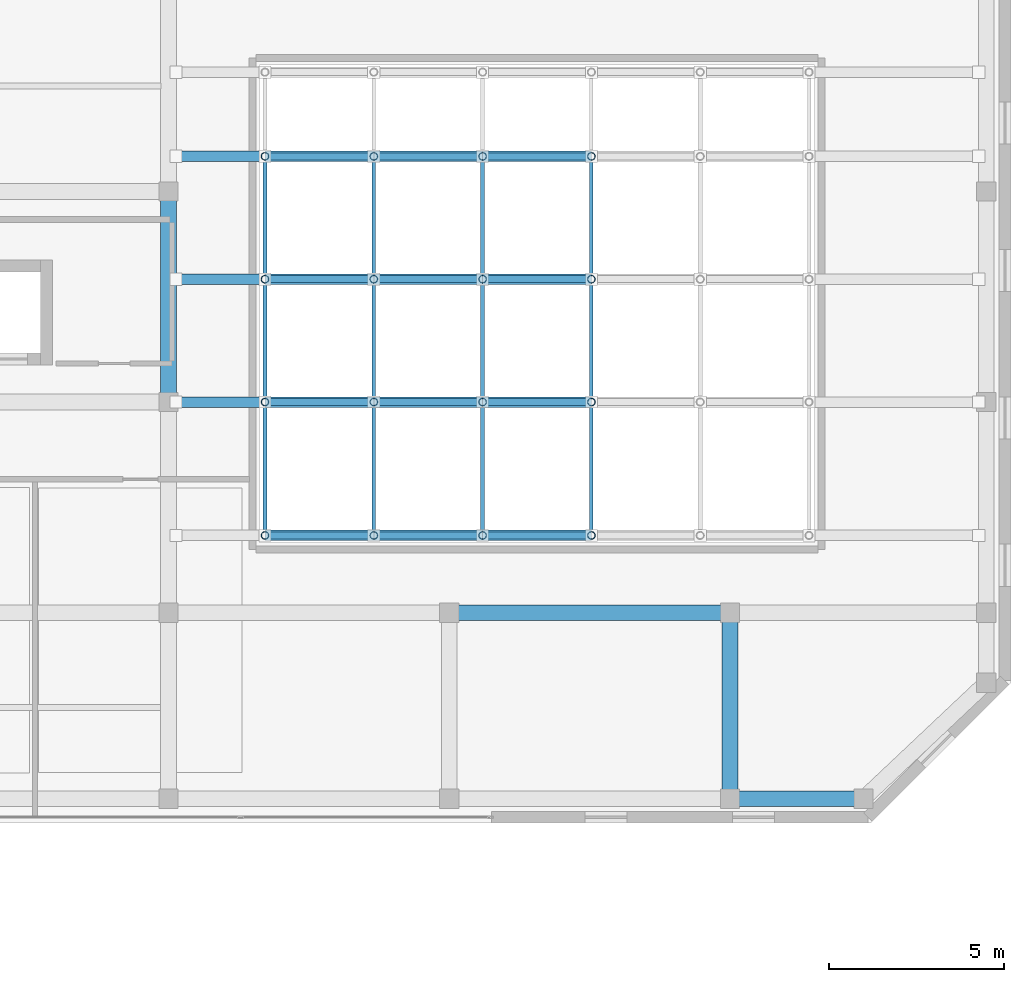
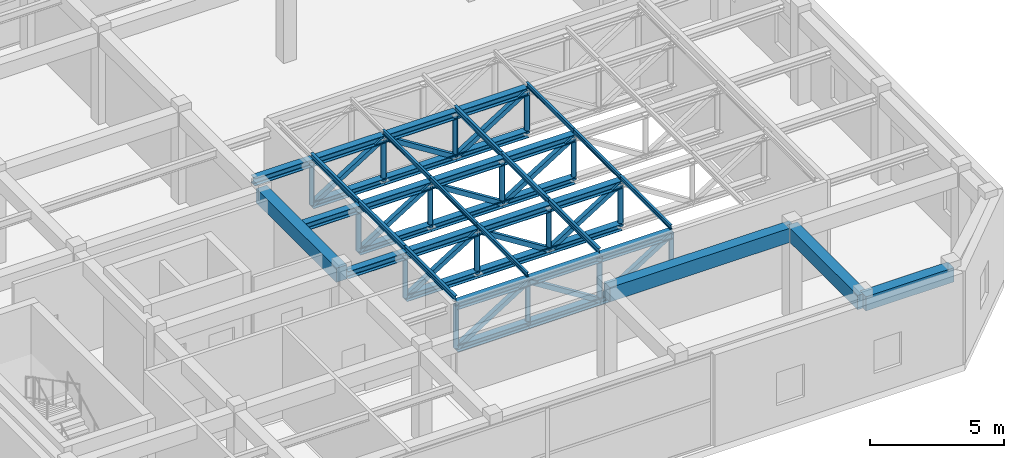
# One storey, part 14 of 33: 67 members, 4 beams.
"""IFC4 building model written with IfcOpenShell, lengths in metres."""

import ifcopenshell
import ifcopenshell.guid

model = None  # the IFC model being written
_history = None  # IfcOwnerHistory: only IFC2X3 demands one
_inside = {}  # id of a spatial element -> (the spatial element, [elements in it])
_under = {}  # id of a project, library or spatial element -> (it, [spatial elements below it])
_declared = {}  # id of a project -> (the project, [libraries it declares])
_typed = {}  # id of a type object -> (the type object, [elements of that type])
_made_of = {}  # id of a material, layer set ... -> (it, [elements and type objects made of it])


def new_model(schema):
    """Start an empty IFC model of exactly this schema.

    Asked for "IFC4X3", IfcOpenShell would pick the latest addendum, in which some entities
    have other attributes; the version numbers below select the first issue.
    IFC2X3 requires an IfcOwnerHistory on every rooted entity: one is made here for all.
    """
    global model, _history
    if schema == "IFC4X3":
        model = ifcopenshell.file(schema_version=(4, 3, 0, 0))
    else:
        model = ifcopenshell.file(schema=schema)
    _inside.clear()
    _under.clear()
    _declared.clear()
    _typed.clear()
    _made_of.clear()
    _history = None
    if model.schema == "IFC2X3":
        org = make("IfcOrganization", Name="unknown")
        user = make(
            "IfcPersonAndOrganization",
            ThePerson=make("IfcPerson", FamilyName="unknown"),
            TheOrganization=org,
        )
        app = make(
            "IfcApplication",
            ApplicationDeveloper=org,
            Version="unknown",
            ApplicationFullName="unknown",
            ApplicationIdentifier="unknown",
        )
        _history = make(
            "IfcOwnerHistory",
            OwningUser=user,
            OwningApplication=app,
            ChangeAction="ADDED",
            CreationDate=0,
        )
    return model


def make(cls, **values):
    """One entity of the class cls with the attributes given. An attribute that is None is left unset."""
    return model.create_entity(
        cls, **{name: value for name, value in values.items() if value is not None}
    )


def rooted(cls, **values):
    """An entity with a GlobalId (a new one), such as an element, a storey or a relation."""
    return make(cls, GlobalId=ifcopenshell.guid.new(), OwnerHistory=_history, **values)


def si_unit(unit_type, name, prefix=None):
    """IfcSIUnit, for example si_unit("LENGTHUNIT", "METRE", prefix="MILLI")."""
    return make("IfcSIUnit", UnitType=unit_type, Prefix=prefix, Name=name)


def assignment(units):
    """IfcUnitAssignment: the units of a project."""
    return None if units is None else make("IfcUnitAssignment", Units=units)


def point(xyz):
    """IfcCartesianPoint."""
    return None if xyz is None else make("IfcCartesianPoint", Coordinates=xyz)


def direction(xyz):
    """IfcDirection."""
    return None if xyz is None else make("IfcDirection", DirectionRatios=xyz)


def frame(location, z_axis=None, x_axis=None):
    """IfcAxis2Placement3D, a coordinate frame: its origin and axes. An axis left out is left unset."""
    return make(
        "IfcAxis2Placement3D",
        Location=point(location),
        Axis=direction(z_axis),
        RefDirection=direction(x_axis),
    )


def frame_2d(location, x_axis=None):
    """IfcAxis2Placement2D, a coordinate frame in the plane: its origin and x axis."""
    return make(
        "IfcAxis2Placement2D", Location=point(location), RefDirection=direction(x_axis)
    )


def origin():
    """The frame at (0, 0, 0) with its axes left unset."""
    return frame((0.0, 0.0, 0.0))


def origin_2d():
    """The frame at (0, 0) in the plane with its x axis left unset."""
    return frame_2d((0.0, 0.0))


def place(relative_to, where):
    """IfcLocalPlacement: puts the frame where relative to a parent placement (None: the world)."""
    return make(
        "IfcLocalPlacement", PlacementRelTo=relative_to, RelativePlacement=where
    )


def context(
    kind, dimensions, precision=None, world=None, true_north=None, identifier=None
):
    """IfcGeometricRepresentationContext, for example the 3D "Model" context."""
    return make(
        "IfcGeometricRepresentationContext",
        ContextIdentifier=identifier,
        ContextType=kind,
        CoordinateSpaceDimension=dimensions,
        Precision=precision,
        WorldCoordinateSystem=world,
        TrueNorth=true_north,
    )


def subcontext(parent, identifier, kind, view, scale=None):
    """IfcGeometricRepresentationSubContext, for example "Body" below "Model"."""
    return make(
        "IfcGeometricRepresentationSubContext",
        ContextIdentifier=identifier,
        ContextType=kind,
        ParentContext=parent,
        TargetScale=scale,
        TargetView=view,
    )


def project(units=None, contexts=None):
    """IfcProject with its units and contexts."""
    return rooted(
        "IfcProject",
        Name="project",
        RepresentationContexts=contexts,
        UnitsInContext=assignment(units),
    )


def spatial(cls, under=None, at=None, **own):
    """A site, building, storey or space (cls), placed at a placement, below another one or the project."""
    s = rooted(cls, ObjectPlacement=at, **own)
    if under is not None:
        _under.setdefault(under.id(), (under, []))[1].append(s)
    return s


def profile(cls, at=None, kind="AREA", **sizes):
    """A parametric profile (cls). Its sizes go by their IFC names, for example OverallWidth=200.0."""
    return make(cls, ProfileType=kind, Position=at, **sizes)


def rectangle(**sizes):
    """IfcRectangleProfileDef."""
    return profile("IfcRectangleProfileDef", **sizes)


def hollow_rectangle(**sizes):
    """IfcRectangleHollowProfileDef."""
    return profile("IfcRectangleHollowProfileDef", **sizes)


def hollow_circle(**sizes):
    """IfcCircleHollowProfileDef."""
    return profile("IfcCircleHollowProfileDef", **sizes)


def i_section(**sizes):
    """IfcIShapeProfileDef."""
    return profile("IfcIShapeProfileDef", **sizes)


def extrude(swept, where, along, depth):
    """IfcExtrudedAreaSolid: the profile swept, set in the frame where, extruded along a direction by depth."""
    return make(
        "IfcExtrudedAreaSolid",
        SweptArea=swept,
        Position=where,
        ExtrudedDirection=direction(along),
        Depth=depth,
    )


def shape(context_of_items, identifier, shape_type, items):
    """IfcShapeRepresentation: the items that make up one representation, for example the "Body"."""
    return make(
        "IfcShapeRepresentation",
        ContextOfItems=context_of_items,
        RepresentationIdentifier=identifier,
        RepresentationType=shape_type,
        Items=items,
    )


def source(mapping_origin, context_of_items, identifier, shape_type, items):
    """IfcRepresentationMap: a shape defined once, which mapped items show again and again."""
    return make(
        "IfcRepresentationMap",
        MappingOrigin=mapping_origin,
        MappedRepresentation=shape(context_of_items, identifier, shape_type, items),
    )


def transform(
    local_origin,
    x_axis=None,
    y_axis=None,
    z_axis=None,
    scale=None,
    scale2=None,
    scale3=None,
    uniform=True,
):
    """IfcCartesianTransformationOperator3D, or its non-uniform kind. x_axis, y_axis, z_axis: its Axis1, 2, 3."""
    if uniform:
        return make(
            "IfcCartesianTransformationOperator3D",
            Axis1=direction(x_axis),
            Axis2=direction(y_axis),
            LocalOrigin=point(local_origin),
            Scale=scale,
            Axis3=direction(z_axis),
        )
    return make(
        "IfcCartesianTransformationOperator3DnonUniform",
        Axis1=direction(x_axis),
        Axis2=direction(y_axis),
        LocalOrigin=point(local_origin),
        Scale=scale,
        Axis3=direction(z_axis),
        Scale2=scale2,
        Scale3=scale3,
    )


def mapped(mapping_source, mapping_target):
    """IfcMappedItem: shows the shape of a source again, moved by a transform."""
    return make(
        "IfcMappedItem", MappingSource=mapping_source, MappingTarget=mapping_target
    )


def material(Name=None, Category=None):
    """IfcMaterial."""
    return make("IfcMaterial", Name=Name, Category=Category)


def material_profile(
    of_material, cross_section, Name=None, Category=None, Priority=None
):
    """IfcMaterialProfile: a cross section and its material."""
    return make(
        "IfcMaterialProfile",
        Name=Name,
        Material=of_material,
        Profile=cross_section,
        Priority=Priority,
        Category=Category,
    )


def profile_set(profiles, Name=None, composite=None):
    """IfcMaterialProfileSet."""
    return make(
        "IfcMaterialProfileSet",
        Name=Name,
        MaterialProfiles=profiles,
        CompositeProfile=composite,
    )


def made_of(thing, what):
    """Note that an element or type object is made of a material, layer set ...; save() writes the relation."""
    if what is not None:
        _made_of.setdefault(what.id(), (what, []))[1].append(thing)
    return thing


def type_object(cls, material=None, **own):
    """A type object (cls), such as IfcWallType, which elements share."""
    return made_of(rooted(cls, **own), material)


def element(
    cls,
    number,
    at=None,
    inside=None,
    cuts=None,
    type_object=None,
    material=None,
    context=None,
    identifier="Body",
    shape_type=None,
    held_by="IfcProductDefinitionShape",
    body=None,
    shapes=None,
    **own,
):
    """One element of the class cls, such as IfcWall. Its Tag is "e" and its number.

    at: its placement. inside: the storey or other place that contains it. cuts: it is an
    opening in that element (IfcRelVoidsElement). A single representation is given by context,
    identifier, shape_type and body (its items); several are given by shapes. held_by: the class
    of the entity that holds the representations. save() writes the other relations.
    """
    e = rooted(cls, Tag="e%d" % number, ObjectPlacement=at, **own)
    if body is not None:
        shapes = [shape(context, identifier, shape_type, body)]
    if shapes is not None:
        e.Representation = make(held_by, Representations=shapes)
    if inside is not None:
        _inside.setdefault(inside.id(), (inside, []))[1].append(e)
    if cuts is not None:
        rooted(
            "IfcRelVoidsElement", RelatingBuildingElement=cuts, RelatedOpeningElement=e
        )
    if type_object is not None:
        _typed.setdefault(type_object.id(), (type_object, []))[1].append(e)
    return made_of(e, material)


def aggregate(whole, parts):
    """IfcRelAggregates: a whole, such as a stair, and the parts it consists of."""
    return rooted("IfcRelAggregates", RelatingObject=whole, RelatedObjects=parts)


def save(model, path):
    """Write the relations noted so far, then the file.

    IfcRelAggregates (storeys below a building ...), IfcRelContainedInSpatialStructure (elements
    in a storey), IfcRelDefinesByType, IfcRelAssociatesMaterial and IfcRelDeclares: one each for
    every whole, place, type object, material and project.
    """
    for whole, parts in _under.values():
        aggregate(whole, parts)
    for where, things in _inside.values():
        rooted(
            "IfcRelContainedInSpatialStructure",
            RelatedElements=things,
            RelatingStructure=where,
        )
    for kind, things in _typed.values():
        rooted("IfcRelDefinesByType", RelatedObjects=things, RelatingType=kind)
    for what, things in _made_of.values():
        rooted("IfcRelAssociatesMaterial", RelatedObjects=things, RelatingMaterial=what)
    for by, libraries in _declared.values():
        rooted("IfcRelDeclares", RelatingContext=by, RelatedDefinitions=libraries)
    model.write(path)


model = new_model("IFC4")

# Units and contexts
model_context = context("Model", 3, precision=1e-05, world=origin(), true_north=direction((0.0, 1.0)))
body_context = subcontext(model_context, "Body", "Model", "MODEL_VIEW")
ifc_project = project(units=[si_unit("LENGTHUNIT", "METRE"), si_unit("AREAUNIT", "SQUARE_METRE"), si_unit("VOLUMEUNIT", "CUBIC_METRE"), si_unit("PLANEANGLEUNIT", "RADIAN"), si_unit("MASSUNIT", "GRAM", prefix="KILO")], contexts=[model_context])

# Site, building, storey
site_placement = place(None, origin())
site = spatial("IfcSite", under=ifc_project, at=site_placement, CompositionType="ELEMENT")
building_placement = place(site_placement, origin())
building = spatial("IfcBuilding", under=site, at=building_placement, Name="Khoralis Quay Care Tower", CompositionType="ELEMENT")
storey_placement = place(building_placement, frame((0.0, 0.0, 18.0)))
storey = spatial("IfcBuildingStorey", under=building, at=storey_placement, Name="L04", CompositionType="ELEMENT", Elevation=18.0)

# Beams
ifc_material_1 = material(Name="Concrete C40/50", Category="concrete")
ifc_material_profile_1 = material_profile(ifc_material_1, rectangle(XDim=0.449951171875, YDim=0.64990234375, at=origin_2d()), Name="Concrete C40/50")
ifc_profile_set_1 = profile_set([ifc_material_profile_1], Name="Concrete C40/50")
beam_type = type_object("IfcBeamType", Name="BM-RC450X650", PredefinedType="BEAM", material=ifc_profile_set_1)
shared_shape_1 = source(origin(), body_context, "Body", "SweptSolid", [
    extrude(rectangle(XDim=0.449951171875, YDim=0.64990234375, at=origin_2d()), origin(), (0.0, 0.0, 1.0), 8.0),
])
beam_1_placement = place(storey_placement, frame((92.0, 12.0, 3.864990234375), z_axis=(1.0, 0.0, 0.0), x_axis=(0.0, 1.0, 0.0)))
element("IfcBeam", 1, at=beam_1_placement, inside=storey, type_object=beam_type, Name="BM-SCX-L04-08", PredefinedType="BEAM", context=body_context, shape_type="MappedRepresentation", body=[
    mapped(shared_shape_1, transform((0.0, 0.0, 0.0), scale=1.0)),
])
shared_shape_2 = source(origin(), body_context, "Body", "SweptSolid", [
    extrude(rectangle(XDim=0.449951171875, YDim=0.64990234375, at=origin_2d()), origin(), (0.0, 0.0, 1.0), 5.300048828125),
])
beam_2_placement = place(storey_placement, frame((100.0, 6.699951171875, 3.864990234375), z_axis=(0.0, 1.0, 0.0), x_axis=(-1.0, 0.0, 0.0)))
element("IfcBeam", 2, at=beam_2_placement, inside=storey, type_object=beam_type, Name="BM-SCY-L04-44", PredefinedType="BEAM", context=body_context, shape_type="MappedRepresentation", body=[
    mapped(shared_shape_2, transform((0.0, 0.0, 0.0), scale=1.0)),
])
shared_shape_3 = source(origin(), body_context, "Body", "SweptSolid", [
    extrude(rectangle(XDim=0.449951171875, YDim=0.64990234375, at=origin_2d()), origin(), (0.0, 0.0, 1.0), 6.0),
])
beam_3_placement = place(storey_placement, frame((84.0, 18.0, 3.864990234375), z_axis=(0.0, 1.0, 0.0), x_axis=(-1.0, 0.0, 0.0)))
element("IfcBeam", 3, at=beam_3_placement, inside=storey, type_object=beam_type, Name="BM-SCY-L04-38", PredefinedType="BEAM", context=body_context, shape_type="MappedRepresentation", body=[
    mapped(shared_shape_3, transform((0.0, 0.0, 0.0), scale=1.0)),
])
shared_shape_4 = source(origin(), body_context, "Body", "SweptSolid", [
    extrude(rectangle(XDim=0.449951171875, YDim=0.64990234375, at=origin_2d()), origin(), (0.0, 0.0, 1.0), 3.800048828125),
])
beam_4_placement = place(storey_placement, frame((100.0, 6.699951171875, 3.864990234375), z_axis=(1.0, 0.0, 0.0), x_axis=(0.0, 1.0, 0.0)))
element("IfcBeam", 4, at=beam_4_placement, inside=storey, type_object=beam_type, Name="BM-SCCH-L04-1", PredefinedType="BEAM", context=body_context, shape_type="MappedRepresentation", body=[
    mapped(shared_shape_4, transform((0.0, 0.0, 0.0), scale=1.0)),
])

# Members
ifc_material_2 = material(Name="Steel S355", Category="steel")
ifc_material_profile_2 = material_profile(ifc_material_2, i_section(OverallWidth=0.300048828125, OverallDepth=0.340087890625, WebThickness=0.011962890625, FlangeThickness=0.021484375, FilletRadius=0.027099609375, at=origin_2d()), Name="Steel S355")
ifc_profile_set_2 = profile_set([ifc_material_profile_2], Name="Steel S355")
member_type_1 = type_object("IfcMemberType", Name="CH-HEB340", PredefinedType="CHORD", material=ifc_profile_set_2)
shared_shape_5 = source(origin(), body_context, "Body", "SweptSolid", [
    extrude(i_section(OverallWidth=0.300048828125, OverallDepth=0.340087890625, WebThickness=0.011962890625, FlangeThickness=0.021484375, FilletRadius=0.027099609375, at=origin_2d()), origin(), (0.0, 0.0, 1.0), 2.534912109375),
])
for number, where, z_axis, x_axis, name in (
    (5, (84.215087890625, 18.0, 3.800048828125), (1.0, 0.0, 0.0), (0.0, 1.0, 0.0), "MBR-SCTC-2-W"),
    (6, (84.215087890625, 21.5, 3.800048828125), (1.0, 0.0, 0.0), (0.0, 1.0, 0.0), "MBR-SCTC-3-W"),
    (7, (84.215087890625, 25.0, 3.800048828125), (1.0, 0.0, 0.0), (0.0, 1.0, 0.0), "MBR-SCTC-4-W"),
):
    element("IfcMember", number, at=place(storey_placement, frame(where, z_axis=z_axis, x_axis=x_axis)), inside=storey, type_object=member_type_1, Name=name, PredefinedType="CHORD", context=body_context, shape_type="MappedRepresentation", body=[
        mapped(shared_shape_5, transform((0.0, 0.0, 0.0), scale=1.0)),
    ])
shared_shape_6 = source(origin(), body_context, "Body", "SweptSolid", [
    extrude(i_section(OverallWidth=0.300048828125, OverallDepth=0.340087890625, WebThickness=0.011962890625, FlangeThickness=0.021484375, FilletRadius=0.027099609375, at=origin_2d()), origin(), (0.0, 0.0, 1.0), 3.10009765625),
])
for number, where, z_axis, x_axis, name in (
    (8, (86.75, 14.199951171875, 3.800048828125), (1.0, 0.0, 0.0), (0.0, 1.0, 0.0), "MBR-SCTC-1-0"),
    (9, (92.949951171875, 14.199951171875, 3.800048828125), (1.0, 0.0, 0.0), (0.0, 1.0, 0.0), "MBR-SCTC-1-2"),
    (10, (86.75, 18.0, 3.800048828125), (1.0, 0.0, 0.0), (0.0, 1.0, 0.0), "MBR-SCTC-2-0"),
    (11, (92.949951171875, 18.0, 3.800048828125), (1.0, 0.0, 0.0), (0.0, 1.0, 0.0), "MBR-SCTC-2-2"),
    (12, (86.75, 21.5, 3.800048828125), (1.0, 0.0, 0.0), (0.0, 1.0, 0.0), "MBR-SCTC-3-0"),
    (13, (92.949951171875, 21.5, 3.800048828125), (1.0, 0.0, 0.0), (0.0, 1.0, 0.0), "MBR-SCTC-3-2"),
    (14, (86.75, 25.0, 3.800048828125), (1.0, 0.0, 0.0), (0.0, 1.0, 0.0), "MBR-SCTC-4-0"),
    (15, (92.949951171875, 25.0, 3.800048828125), (1.0, 0.0, 0.0), (0.0, 1.0, 0.0), "MBR-SCTC-4-2"),
):
    element("IfcMember", number, at=place(storey_placement, frame(where, z_axis=z_axis, x_axis=x_axis)), inside=storey, type_object=member_type_1, Name=name, PredefinedType="CHORD", context=body_context, shape_type="MappedRepresentation", body=[
        mapped(shared_shape_6, transform((0.0, 0.0, 0.0), scale=1.0)),
    ])
ifc_material_profile_3 = material_profile(ifc_material_2, i_section(OverallWidth=0.300048828125, OverallDepth=0.300048828125, WebThickness=0.010986328125, FlangeThickness=0.01904296875, FilletRadius=0.027099609375, at=origin_2d()), Name="Steel S355")
ifc_profile_set_3 = profile_set([ifc_material_profile_3], Name="Steel S355")
member_type_2 = type_object("IfcMemberType", Name="CH-HEB300", PredefinedType="CHORD", material=ifc_profile_set_3)
shared_shape_7 = source(origin(), body_context, "Body", "SweptSolid", [
    extrude(i_section(OverallWidth=0.300048828125, OverallDepth=0.300048828125, WebThickness=0.010986328125, FlangeThickness=0.01904296875, FilletRadius=0.027099609375, at=origin_2d()), origin(), (0.0, 0.0, 1.0), 3.10009765625),
])
for number, where, z_axis, x_axis, name in (
    (16, (86.75, 14.199951171875, 1.85009765625), (1.0, 0.0, 0.0), (0.0, 1.0, 0.0), "MBR-SCBC-1-0"),
    (17, (92.949951171875, 14.199951171875, 1.85009765625), (1.0, 0.0, 0.0), (0.0, 1.0, 0.0), "MBR-SCBC-1-2"),
    (18, (86.75, 18.0, 1.85009765625), (1.0, 0.0, 0.0), (0.0, 1.0, 0.0), "MBR-SCBC-2-0"),
    (19, (92.949951171875, 18.0, 1.85009765625), (1.0, 0.0, 0.0), (0.0, 1.0, 0.0), "MBR-SCBC-2-2"),
    (20, (86.75, 21.5, 1.85009765625), (1.0, 0.0, 0.0), (0.0, 1.0, 0.0), "MBR-SCBC-3-0"),
    (21, (92.949951171875, 21.5, 1.85009765625), (1.0, 0.0, 0.0), (0.0, 1.0, 0.0), "MBR-SCBC-3-2"),
    (22, (86.75, 25.0, 1.85009765625), (1.0, 0.0, 0.0), (0.0, 1.0, 0.0), "MBR-SCBC-4-0"),
    (23, (92.949951171875, 25.0, 1.85009765625), (1.0, 0.0, 0.0), (0.0, 1.0, 0.0), "MBR-SCBC-4-2"),
):
    element("IfcMember", number, at=place(storey_placement, frame(where, z_axis=z_axis, x_axis=x_axis)), inside=storey, type_object=member_type_2, Name=name, PredefinedType="CHORD", context=body_context, shape_type="MappedRepresentation", body=[
        mapped(shared_shape_7, transform((0.0, 0.0, 0.0), scale=1.0)),
    ])
ifc_material_profile_4 = material_profile(ifc_material_2, hollow_rectangle(XDim=0.199951171875, YDim=0.199951171875, WallThickness=0.010009765625, at=origin_2d()), Name="Steel S355")
ifc_profile_set_4 = profile_set([ifc_material_profile_4], Name="Steel S355")
member_type_3 = type_object("IfcMemberType", Name="BR-RHS200X200X10", PredefinedType="BRACE", material=ifc_profile_set_4)
shared_shape_8 = source(origin(), body_context, "Body", "SweptSolid", [
    extrude(hollow_rectangle(XDim=0.199951171875, YDim=0.199951171875, WallThickness=0.010009765625, at=origin_2d()), origin(), (0.0, 0.0, 1.0), 3.662353515625),
])
for number, where, z_axis, x_axis, name in (
    (24, (86.75, 14.199951171875, 1.85009765625), (0.846474321082, 0.0, 0.532429548156), (0.0, 1.0, 0.0), "L04 School Roof Truss Brace 1.0"),
    (25, (92.949951171875, 14.199951171875, 1.85009765625), (0.846474321082, 0.0, 0.532429548156), (0.0, 1.0, 0.0), "L04 School Roof Truss Brace 1.2"),
    (26, (86.75, 18.0, 1.85009765625), (0.846474321082, 0.0, 0.532429548156), (0.0, 1.0, 0.0), "L04 School Roof Truss Brace 2.0"),
    (27, (92.949951171875, 18.0, 1.85009765625), (0.846474321082, 0.0, 0.532429548156), (0.0, 1.0, 0.0), "L04 School Roof Truss Brace 2.2"),
    (28, (86.75, 21.5, 1.85009765625), (0.846474321082, 0.0, 0.532429548156), (0.0, 1.0, 0.0), "L04 School Roof Truss Brace 3.0"),
    (29, (92.949951171875, 21.5, 1.85009765625), (0.846474321082, 0.0, 0.532429548156), (0.0, 1.0, 0.0), "L04 School Roof Truss Brace 3.2"),
    (30, (86.75, 25.0, 1.85009765625), (0.846474321082, 0.0, 0.532429548156), (0.0, 1.0, 0.0), "L04 School Roof Truss Brace 4.0"),
    (31, (92.949951171875, 25.0, 1.85009765625), (0.846474321082, 0.0, 0.532429548156), (0.0, 1.0, 0.0), "L04 School Roof Truss Brace 4.2"),
):
    element("IfcMember", number, at=place(storey_placement, frame(where, z_axis=z_axis, x_axis=x_axis)), inside=storey, type_object=member_type_3, Name=name, PredefinedType="BRACE", context=body_context, shape_type="MappedRepresentation", body=[
        mapped(shared_shape_8, transform((0.0, 0.0, 0.0), scale=1.0)),
    ])
shared_shape_9 = source(origin(), body_context, "Body", "SweptSolid", [
    extrude(i_section(OverallWidth=0.300048828125, OverallDepth=0.340087890625, WebThickness=0.011962890625, FlangeThickness=0.021484375, FilletRadius=0.027099609375, at=origin_2d()), origin(), (0.0, 0.0, 1.0), 3.099853515625),
])
for number, where, z_axis, x_axis, name in (
    (32, (89.85009765625, 14.199951171875, 3.800048828125), (1.0, 0.0, 0.0), (0.0, 1.0, 0.0), "MBR-SCTC-1-1"),
    (33, (89.85009765625, 18.0, 3.800048828125), (1.0, 0.0, 0.0), (0.0, 1.0, 0.0), "MBR-SCTC-2-1"),
    (34, (89.85009765625, 21.5, 3.800048828125), (1.0, 0.0, 0.0), (0.0, 1.0, 0.0), "MBR-SCTC-3-1"),
    (35, (89.85009765625, 25.0, 3.800048828125), (1.0, 0.0, 0.0), (0.0, 1.0, 0.0), "MBR-SCTC-4-1"),
):
    element("IfcMember", number, at=place(storey_placement, frame(where, z_axis=z_axis, x_axis=x_axis)), inside=storey, type_object=member_type_1, Name=name, PredefinedType="CHORD", context=body_context, shape_type="MappedRepresentation", body=[
        mapped(shared_shape_9, transform((0.0, 0.0, 0.0), scale=1.0)),
    ])
shared_shape_10 = source(origin(), body_context, "Body", "SweptSolid", [
    extrude(i_section(OverallWidth=0.300048828125, OverallDepth=0.300048828125, WebThickness=0.010986328125, FlangeThickness=0.01904296875, FilletRadius=0.027099609375, at=origin_2d()), origin(), (0.0, 0.0, 1.0), 3.099853515625),
])
for number, where, z_axis, x_axis, name in (
    (36, (89.85009765625, 14.199951171875, 1.85009765625), (1.0, 0.0, 0.0), (0.0, 1.0, 0.0), "MBR-SCBC-1-1"),
    (37, (89.85009765625, 18.0, 1.85009765625), (1.0, 0.0, 0.0), (0.0, 1.0, 0.0), "MBR-SCBC-2-1"),
    (38, (89.85009765625, 21.5, 1.85009765625), (1.0, 0.0, 0.0), (0.0, 1.0, 0.0), "MBR-SCBC-3-1"),
    (39, (89.85009765625, 25.0, 1.85009765625), (1.0, 0.0, 0.0), (0.0, 1.0, 0.0), "MBR-SCBC-4-1"),
):
    element("IfcMember", number, at=place(storey_placement, frame(where, z_axis=z_axis, x_axis=x_axis)), inside=storey, type_object=member_type_2, Name=name, PredefinedType="CHORD", context=body_context, shape_type="MappedRepresentation", body=[
        mapped(shared_shape_10, transform((0.0, 0.0, 0.0), scale=1.0)),
    ])
shared_shape_11 = source(origin(), body_context, "Body", "SweptSolid", [
    extrude(hollow_rectangle(XDim=0.199951171875, YDim=0.199951171875, WallThickness=0.010009765625, at=origin_2d()), origin(), (0.0, 0.0, 1.0), 3.662109375),
])
for number, where, z_axis, x_axis, name in (
    (40, (89.85009765625, 14.199951171875, 3.800048828125), (0.846455422051, 0.0, -0.532459593284), (0.0, 1.0, 0.0), "L04 School Roof Truss Brace 1.1"),
    (41, (89.85009765625, 18.0, 3.800048828125), (0.846455422051, 0.0, -0.532459593284), (0.0, 1.0, 0.0), "L04 School Roof Truss Brace 2.1"),
    (42, (89.85009765625, 21.5, 3.800048828125), (0.846455422051, 0.0, -0.532459593284), (0.0, 1.0, 0.0), "L04 School Roof Truss Brace 3.1"),
    (43, (89.85009765625, 25.0, 3.800048828125), (0.846455422051, 0.0, -0.532459593284), (0.0, 1.0, 0.0), "L04 School Roof Truss Brace 4.1"),
):
    element("IfcMember", number, at=place(storey_placement, frame(where, z_axis=z_axis, x_axis=x_axis)), inside=storey, type_object=member_type_3, Name=name, PredefinedType="BRACE", context=body_context, shape_type="MappedRepresentation", body=[
        mapped(shared_shape_11, transform((0.0, 0.0, 0.0), scale=1.0)),
    ])
ifc_material_profile_5 = material_profile(ifc_material_2, hollow_circle(Radius=0.109619140625, WallThickness=0.010009765625, at=origin_2d()), Name="Steel S355")
ifc_profile_set_5 = profile_set([ifc_material_profile_5], Name="Steel S355")
member_type_4 = type_object("IfcMemberType", Name="ST-CHS219X10", PredefinedType="STRUT", material=ifc_profile_set_5)
shared_shape_12 = source(origin(), body_context, "Body", "SweptSolid", [
    extrude(hollow_circle(Radius=0.109619140625, WallThickness=0.010009765625, at=origin_2d()), origin(), (0.0, 0.0, 1.0), 1.949951171875),
])
for number, where, z_axis, x_axis, name in (
    (44, (86.75, 14.199951171875, 1.85009765625), (0.0, 0.0, 1.0), (1.0, 0.0, 0.0), "MBR-SCVT-1-0"),
    (45, (89.85009765625, 14.199951171875, 1.85009765625), (0.0, 0.0, 1.0), (1.0, 0.0, 0.0), "MBR-SCVT-1-1"),
    (46, (92.949951171875, 14.199951171875, 1.85009765625), (0.0, 0.0, 1.0), (1.0, 0.0, 0.0), "MBR-SCVT-1-2"),
    (47, (96.050048828125, 14.199951171875, 1.85009765625), (0.0, 0.0, 1.0), (1.0, 0.0, 0.0), "MBR-SCVT-1-3"),
    (48, (86.75, 18.0, 1.85009765625), (0.0, 0.0, 1.0), (1.0, 0.0, 0.0), "MBR-SCVT-2-0"),
    (49, (89.85009765625, 18.0, 1.85009765625), (0.0, 0.0, 1.0), (1.0, 0.0, 0.0), "MBR-SCVT-2-1"),
    (50, (92.949951171875, 18.0, 1.85009765625), (0.0, 0.0, 1.0), (1.0, 0.0, 0.0), "MBR-SCVT-2-2"),
    (51, (96.050048828125, 18.0, 1.85009765625), (0.0, 0.0, 1.0), (1.0, 0.0, 0.0), "MBR-SCVT-2-3"),
    (52, (86.75, 21.5, 1.85009765625), (0.0, 0.0, 1.0), (1.0, 0.0, 0.0), "MBR-SCVT-3-0"),
    (53, (89.85009765625, 21.5, 1.85009765625), (0.0, 0.0, 1.0), (1.0, 0.0, 0.0), "MBR-SCVT-3-1"),
    (54, (92.949951171875, 21.5, 1.85009765625), (0.0, 0.0, 1.0), (1.0, 0.0, 0.0), "MBR-SCVT-3-2"),
    (55, (96.050048828125, 21.5, 1.85009765625), (0.0, 0.0, 1.0), (1.0, 0.0, 0.0), "MBR-SCVT-3-3"),
    (56, (86.75, 25.0, 1.85009765625), (0.0, 0.0, 1.0), (1.0, 0.0, 0.0), "MBR-SCVT-4-0"),
    (57, (89.85009765625, 25.0, 1.85009765625), (0.0, 0.0, 1.0), (1.0, 0.0, 0.0), "MBR-SCVT-4-1"),
    (58, (92.949951171875, 25.0, 1.85009765625), (0.0, 0.0, 1.0), (1.0, 0.0, 0.0), "MBR-SCVT-4-2"),
    (59, (96.050048828125, 25.0, 1.85009765625), (0.0, 0.0, 1.0), (1.0, 0.0, 0.0), "MBR-SCVT-4-3"),
):
    element("IfcMember", number, at=place(storey_placement, frame(where, z_axis=z_axis, x_axis=x_axis)), inside=storey, type_object=member_type_4, Name=name, PredefinedType="STRUT", context=body_context, shape_type="MappedRepresentation", body=[
        mapped(shared_shape_12, transform((0.0, 0.0, 0.0), scale=1.0)),
    ])
ifc_material_profile_6 = material_profile(ifc_material_2, i_section(OverallWidth=0.1201171875, OverallDepth=0.239990234375, WebThickness=0.006103515625, FlangeThickness=0.009765625, FilletRadius=0.014892578125, at=origin_2d()), Name="Steel S355")
ifc_profile_set_6 = profile_set([ifc_material_profile_6], Name="Steel S355")
member_type_5 = type_object("IfcMemberType", Name="PR-IPE240", PredefinedType="PURLIN", material=ifc_profile_set_6)
shared_shape_13 = source(origin(), body_context, "Body", "SweptSolid", [
    extrude(i_section(OverallWidth=0.1201171875, OverallDepth=0.239990234375, WebThickness=0.006103515625, FlangeThickness=0.009765625, FilletRadius=0.014892578125, at=origin_2d()), origin(), (0.0, 0.0, 1.0), 3.800048828125),
])
for number, where, z_axis, x_axis, name in (
    (60, (86.75, 14.199951171875, 4.070068359375), (0.0, 1.0, 0.0), (-1.0, 0.0, 0.0), "MBR-SCPR-1-1"),
    (61, (92.949951171875, 14.199951171875, 4.070068359375), (0.0, 1.0, 0.0), (-1.0, 0.0, 0.0), "MBR-SCPR-3-1"),
):
    element("IfcMember", number, at=place(storey_placement, frame(where, z_axis=z_axis, x_axis=x_axis)), inside=storey, type_object=member_type_5, Name=name, PredefinedType="PURLIN", context=body_context, shape_type="MappedRepresentation", body=[
        mapped(shared_shape_13, transform((0.0, 0.0, 0.0), scale=1.0)),
    ])
shared_shape_14 = source(origin(), body_context, "Body", "SweptSolid", [
    extrude(i_section(OverallWidth=0.1201171875, OverallDepth=0.239990234375, WebThickness=0.006103515625, FlangeThickness=0.009765625, FilletRadius=0.014892578125, at=origin_2d()), origin(), (0.0, 0.0, 1.0), 3.5),
])
for number, where, z_axis, x_axis, name in (
    (62, (86.75, 18.0, 4.070068359375), (0.0, 1.0, 0.0), (-1.0, 0.0, 0.0), "MBR-SCPR-1-2"),
    (63, (86.75, 21.5, 4.070068359375), (0.0, 1.0, 0.0), (-1.0, 0.0, 0.0), "MBR-SCPR-1-3"),
    (64, (92.949951171875, 18.0, 4.070068359375), (0.0, 1.0, 0.0), (-1.0, 0.0, 0.0), "MBR-SCPR-3-2"),
    (65, (92.949951171875, 21.5, 4.070068359375), (0.0, 1.0, 0.0), (-1.0, 0.0, 0.0), "MBR-SCPR-3-3"),
):
    element("IfcMember", number, at=place(storey_placement, frame(where, z_axis=z_axis, x_axis=x_axis)), inside=storey, type_object=member_type_5, Name=name, PredefinedType="PURLIN", context=body_context, shape_type="MappedRepresentation", body=[
        mapped(shared_shape_14, transform((0.0, 0.0, 0.0), scale=1.0)),
    ])
ifc_material_profile_7 = material_profile(ifc_material_2, i_section(OverallWidth=0.10009765625, OverallDepth=0.199951171875, WebThickness=0.005615234375, FlangeThickness=0.008544921875, FilletRadius=0.011962890625, at=origin_2d()), Name="Steel S355")
ifc_profile_set_7 = profile_set([ifc_material_profile_7], Name="Steel S355")
member_type_6 = type_object("IfcMemberType", Name="PR-IPE200", PredefinedType="PURLIN", material=ifc_profile_set_7)
shared_shape_15 = source(origin(), body_context, "Body", "SweptSolid", [
    extrude(i_section(OverallWidth=0.10009765625, OverallDepth=0.199951171875, WebThickness=0.005615234375, FlangeThickness=0.008544921875, FilletRadius=0.011962890625, at=origin_2d()), origin(), (0.0, 0.0, 1.0), 3.800048828125),
])
for number, where, z_axis, x_axis, name in (
    (66, (89.85009765625, 14.199951171875, 4.070068359375), (0.0, 1.0, 0.0), (-1.0, 0.0, 0.0), "MBR-SCPR-2-1"),
    (67, (96.050048828125, 14.199951171875, 4.070068359375), (0.0, 1.0, 0.0), (-1.0, 0.0, 0.0), "MBR-SCPR-4-1"),
):
    element("IfcMember", number, at=place(storey_placement, frame(where, z_axis=z_axis, x_axis=x_axis)), inside=storey, type_object=member_type_6, Name=name, PredefinedType="PURLIN", context=body_context, shape_type="MappedRepresentation", body=[
        mapped(shared_shape_15, transform((0.0, 0.0, 0.0), scale=1.0)),
    ])
shared_shape_16 = source(origin(), body_context, "Body", "SweptSolid", [
    extrude(i_section(OverallWidth=0.10009765625, OverallDepth=0.199951171875, WebThickness=0.005615234375, FlangeThickness=0.008544921875, FilletRadius=0.011962890625, at=origin_2d()), origin(), (0.0, 0.0, 1.0), 3.5),
])
for number, where, z_axis, x_axis, name in (
    (68, (89.85009765625, 18.0, 4.070068359375), (0.0, 1.0, 0.0), (-1.0, 0.0, 0.0), "MBR-SCPR-2-2"),
    (69, (89.85009765625, 21.5, 4.070068359375), (0.0, 1.0, 0.0), (-1.0, 0.0, 0.0), "MBR-SCPR-2-3"),
    (70, (96.050048828125, 18.0, 4.070068359375), (0.0, 1.0, 0.0), (-1.0, 0.0, 0.0), "MBR-SCPR-4-2"),
    (71, (96.050048828125, 21.5, 4.070068359375), (0.0, 1.0, 0.0), (-1.0, 0.0, 0.0), "MBR-SCPR-4-3"),
):
    element("IfcMember", number, at=place(storey_placement, frame(where, z_axis=z_axis, x_axis=x_axis)), inside=storey, type_object=member_type_6, Name=name, PredefinedType="PURLIN", context=body_context, shape_type="MappedRepresentation", body=[
        mapped(shared_shape_16, transform((0.0, 0.0, 0.0), scale=1.0)),
    ])

save(model, "model.ifc")
